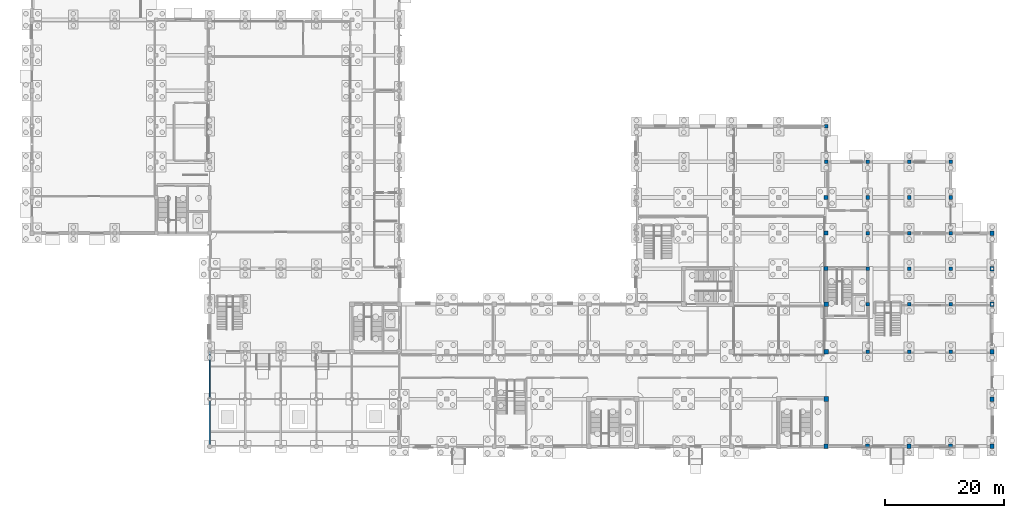
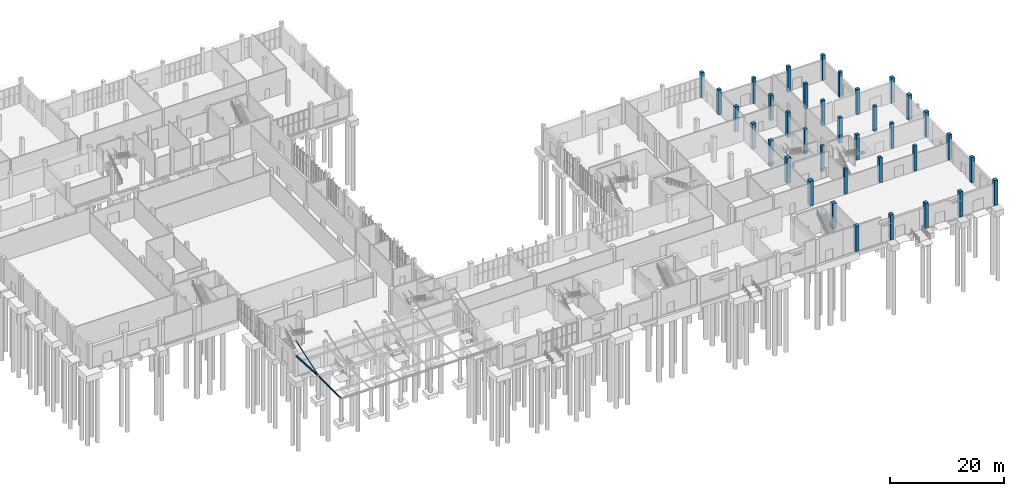
# One storey, part 6 of 69: 36 columns, 2 beams, 1 member.
"""IFC4 building model written with IfcOpenShell, lengths in metres."""

from ifc_helpers import new_model, si_unit, direction, frame, origin, origin_2d, place, context, subcontext, project, spatial, rectangle, hollow_circle, i_section, extrude, material, material_profile, profile_set, type_object, element, save


model = new_model("IFC4")

# Units and contexts
model_context = context("Model", 3, precision=1e-05, world=origin(), true_north=direction((0.0, 1.0)))
body_context = subcontext(model_context, "Body", "Model", "MODEL_VIEW")
ifc_project = project(units=[si_unit("LENGTHUNIT", "METRE"), si_unit("AREAUNIT", "SQUARE_METRE"), si_unit("VOLUMEUNIT", "CUBIC_METRE"), si_unit("PLANEANGLEUNIT", "RADIAN"), si_unit("MASSUNIT", "GRAM", prefix="KILO")], contexts=[model_context])

# Site, building, storey
site_placement = place(None, origin())
site = spatial("IfcSite", under=ifc_project, at=site_placement, CompositionType="ELEMENT")
building_placement = place(site_placement, origin())
building = spatial("IfcBuilding", under=site, at=building_placement, Name="Solvane Community Centre", CompositionType="ELEMENT")
storey_placement = place(building_placement, origin())
storey = spatial("IfcBuildingStorey", under=building, at=storey_placement, Name="L00", CompositionType="ELEMENT", Elevation=0.0)

# Columns
ifc_material_1 = material(Name="Precast concrete C35/45", Category="concrete")
ifc_material_profile_1 = material_profile(ifc_material_1, rectangle(XDim=0.64990234375, YDim=0.75, at=origin_2d()), Name="RC 650x750")
ifc_profile_set_1 = profile_set([ifc_material_profile_1], Name="Precast concrete C35/45")
column_type_1 = type_object("IfcColumnType", Name="Art Deco Fluted Pilaster 650x750", PredefinedType="PILASTER", material=ifc_profile_set_1)
for number, where, z_axis, x_axis, name in (
    (1, (140.0, 6.0, 0.0), (0.0, 0.0, 1.0), (1.0, 0.0, 0.0), "Column COL-L00-20-A"),
    (2, (147.0, 6.0, 0.0), (0.0, 0.0, 1.0), (1.0, 0.0, 0.0), "Column COL-L00-21-A"),
    (3, (154.0, 6.0, 0.0), (0.0, 0.0, 1.0), (1.0, 0.0, 0.0), "Column COL-L00-22-A"),
    (4, (161.0, 6.0, 0.0), (0.0, 0.0, 1.0), (1.0, 0.0, 0.0), "Column COL-L00-23-A"),
    (5, (168.0, 6.0, 0.0), (0.0, 0.0, 1.0), (1.0, 0.0, 0.0), "Column COL-L00-24-A"),
    (6, (168.0, 14.0, 0.0), (0.0, 0.0, 1.0), (1.0, 0.0, 0.0), "Column COL-L00-24-B"),
    (7, (168.0, 22.0, 0.0), (0.0, 0.0, 1.0), (1.0, 0.0, 0.0), "Column COL-L00-24-C"),
    (8, (168.0, 30.0, 0.0), (0.0, 0.0, 1.0), (1.0, 0.0, 0.0), "Column COL-L00-24-D"),
    (9, (168.0, 36.0, 0.0), (0.0, 0.0, 1.0), (1.0, 0.0, 0.0), "Column COL-L00-24-E"),
    (10, (168.0, 42.0, 0.0), (0.0, 0.0, 1.0), (1.0, 0.0, 0.0), "Column COL-L00-24-F"),
):
    element("IfcColumn", number, at=place(storey_placement, frame(where, z_axis=z_axis, x_axis=x_axis)), inside=storey, type_object=column_type_1, Name=name, PredefinedType="PILASTER", context=body_context, shape_type="SweptSolid", body=[
        extrude(rectangle(XDim=0.64990234375, YDim=0.75, at=origin_2d()), origin(), (0.0, 0.0, 1.0), 5.39990234375),
    ])
ifc_material_2 = material(Name="Concrete C35/45", Category="concrete")
ifc_material_profile_2 = material_profile(ifc_material_2, rectangle(XDim=0.60009765625, YDim=0.60009765625, at=origin_2d()), Name="RC 600x600")
ifc_profile_set_2 = profile_set([ifc_material_profile_2], Name="Concrete C35/45")
column_type_2 = type_object("IfcColumnType", Name="RC Column 600x600", PredefinedType="COLUMN", material=ifc_profile_set_2)
for number, where, z_axis, x_axis, name in (
    (11, (140.0, 54.0, 0.0), (0.0, 0.0, 1.0), (1.0, 0.0, 0.0), "Column COL-L00-20-H"),
    (12, (140.0, 60.0, 0.0), (0.0, 0.0, 1.0), (1.0, 0.0, 0.0), "Column COL-L00-20-J"),
    (13, (147.0, 22.0, 0.0), (0.0, 0.0, 1.0), (1.0, 0.0, 0.0), "Column COL-L00-21-C"),
    (14, (147.0, 30.0, 0.0), (0.0, 0.0, 1.0), (1.0, 0.0, 0.0), "Column COL-L00-21-D"),
    (15, (147.0, 36.0, 0.0), (0.0, 0.0, 1.0), (1.0, 0.0, 0.0), "Column COL-L00-21-E"),
    (16, (154.0, 22.0, 0.0), (0.0, 0.0, 1.0), (1.0, 0.0, 0.0), "Column COL-L00-22-C"),
    (17, (154.0, 30.0, 0.0), (0.0, 0.0, 1.0), (1.0, 0.0, 0.0), "Column COL-L00-22-D"),
    (18, (154.0, 36.0, 0.0), (0.0, 0.0, 1.0), (1.0, 0.0, 0.0), "Column COL-L00-22-E"),
    (19, (161.0, 22.0, 0.0), (0.0, 0.0, 1.0), (1.0, 0.0, 0.0), "Column COL-L00-23-C"),
    (20, (161.0, 30.0, 0.0), (0.0, 0.0, 1.0), (1.0, 0.0, 0.0), "Column COL-L00-23-D"),
    (21, (161.0, 36.0, 0.0), (0.0, 0.0, 1.0), (1.0, 0.0, 0.0), "Column COL-L00-23-E"),
):
    element("IfcColumn", number, at=place(storey_placement, frame(where, z_axis=z_axis, x_axis=x_axis)), inside=storey, type_object=column_type_2, Name=name, PredefinedType="COLUMN", context=body_context, shape_type="SweptSolid", body=[
        extrude(rectangle(XDim=0.60009765625, YDim=0.60009765625, at=origin_2d()), origin(), (0.0, 0.0, 1.0), 5.39990234375),
    ])
ifc_material_profile_3 = material_profile(ifc_material_2, rectangle(XDim=0.610107421875, YDim=0.610107421875, at=origin_2d()), Name="RC 610x610")
ifc_profile_set_3 = profile_set([ifc_material_profile_3], Name="Concrete C35/45")
column_type_3 = type_object("IfcColumnType", Name="RC Column 610x610", PredefinedType="COLUMN", material=ifc_profile_set_3)
for number, where, z_axis, x_axis, name in (
    (22, (147.0, 42.0, 0.0), (0.0, 0.0, 1.0), (1.0, 0.0, 0.0), "Column COL-L00-21-F"),
    (23, (147.0, 48.0, 0.0), (0.0, 0.0, 1.0), (1.0, 0.0, 0.0), "Column COL-L00-21-G"),
    (24, (147.0, 54.0, 0.0), (0.0, 0.0, 1.0), (1.0, 0.0, 0.0), "Column COL-L00-21-H"),
    (25, (154.0, 42.0, 0.0), (0.0, 0.0, 1.0), (1.0, 0.0, 0.0), "Column COL-L00-22-F"),
    (26, (154.0, 48.0, 0.0), (0.0, 0.0, 1.0), (1.0, 0.0, 0.0), "Column COL-L00-22-G"),
    (27, (154.0, 54.0, 0.0), (0.0, 0.0, 1.0), (1.0, 0.0, 0.0), "Column COL-L00-22-H"),
    (28, (161.0, 42.0, 0.0), (0.0, 0.0, 1.0), (1.0, 0.0, 0.0), "Column COL-L00-23-F"),
    (29, (161.0, 48.0, 0.0), (0.0, 0.0, 1.0), (1.0, 0.0, 0.0), "Column COL-L00-23-G"),
    (30, (161.0, 54.0, 0.0), (0.0, 0.0, 1.0), (1.0, 0.0, 0.0), "Column COL-L00-23-H"),
):
    element("IfcColumn", number, at=place(storey_placement, frame(where, z_axis=z_axis, x_axis=x_axis)), inside=storey, type_object=column_type_3, Name=name, PredefinedType="COLUMN", context=body_context, shape_type="SweptSolid", body=[
        extrude(rectangle(XDim=0.610107421875, YDim=0.610107421875, at=origin_2d()), origin(), (0.0, 0.0, 1.0), 5.39990234375),
    ])
ifc_material_profile_4 = material_profile(ifc_material_2, rectangle(XDim=0.699951171875, YDim=0.699951171875, at=origin_2d()), Name="RC 700x700")
ifc_profile_set_4 = profile_set([ifc_material_profile_4], Name="Concrete C35/45")
column_type_4 = type_object("IfcColumnType", Name="RC Column 700x700", PredefinedType="COLUMN", material=ifc_profile_set_4)
for number, where, z_axis, x_axis, name in (
    (31, (140.0, 36.0, 0.0), (0.0, 0.0, 1.0), (1.0, 0.0, 0.0), "Column COL-L00-20-E"),
    (32, (140.0, 42.0, 0.0), (0.0, 0.0, 1.0), (1.0, 0.0, 0.0), "Column COL-L00-20-F"),
    (33, (140.0, 48.0, 0.0), (0.0, 0.0, 1.0), (1.0, 0.0, 0.0), "Column COL-L00-20-G"),
):
    element("IfcColumn", number, at=place(storey_placement, frame(where, z_axis=z_axis, x_axis=x_axis)), inside=storey, type_object=column_type_4, Name=name, PredefinedType="COLUMN", context=body_context, shape_type="SweptSolid", body=[
        extrude(rectangle(XDim=0.699951171875, YDim=0.699951171875, at=origin_2d()), origin(), (0.0, 0.0, 1.0), 5.39990234375),
    ])
ifc_material_profile_5 = material_profile(ifc_material_2, rectangle(XDim=0.800048828125, YDim=0.800048828125, at=origin_2d()), Name="RC 800x800")
ifc_profile_set_5 = profile_set([ifc_material_profile_5], Name="Concrete C35/45")
column_type_5 = type_object("IfcColumnType", Name="RC Column 800x800", PredefinedType="COLUMN", material=ifc_profile_set_5)
for number, where, z_axis, x_axis, name in (
    (34, (140.0, 14.0, 0.0), (0.0, 0.0, 1.0), (1.0, 0.0, 0.0), "Column COL-L00-20-B"),
    (35, (140.0, 22.0, 0.0), (0.0, 0.0, 1.0), (1.0, 0.0, 0.0), "Column COL-L00-20-C"),
    (36, (140.0, 30.0, 0.0), (0.0, 0.0, 1.0), (1.0, 0.0, 0.0), "Column COL-L00-20-D"),
):
    element("IfcColumn", number, at=place(storey_placement, frame(where, z_axis=z_axis, x_axis=x_axis)), inside=storey, type_object=column_type_5, Name=name, PredefinedType="COLUMN", context=body_context, shape_type="SweptSolid", body=[
        extrude(rectangle(XDim=0.800048828125, YDim=0.800048828125, at=origin_2d()), origin(), (0.0, 0.0, 1.0), 5.39990234375),
    ])

# Member
ifc_material_3 = material(Name="Steel ASTM A572 Grade 50", Category="steel")
ifc_material_profile_6 = material_profile(ifc_material_3, hollow_circle(Radius=0.084228515625, WallThickness=0.010009765625, at=origin_2d()), Name="CHS 168.3x10.0")
ifc_profile_set_6 = profile_set([ifc_material_profile_6], Name="Steel ASTM A572 Grade 50")
member_type = type_object("IfcMemberType", Name="Canopy Hanger Strut CHS168", PredefinedType="STRUT", material=ifc_profile_set_6)
member_placement = place(storey_placement, frame((36.0, 21.75, 7.5), z_axis=(0.0, -0.948802787052, -0.315869073008), x_axis=(1.0, 0.0, 0.0)))
element("IfcMember", 37, at=member_placement, inside=storey, type_object=member_type, Name="Member MEM-L00-0390", PredefinedType="STRUT", context=body_context, shape_type="SweptSolid", body=[
    extrude(hollow_circle(Radius=0.084228515625, WallThickness=0.010009765625, at=origin_2d()), origin(), (0.0, 0.0, 1.0), 8.168212890625),
])

# Beams
ifc_material_profile_7 = material_profile(ifc_material_3, i_section(OverallWidth=0.205078125, OverallDepth=0.31005859375, WebThickness=0.009521484375, FlangeThickness=0.016357421875, FilletRadius=0.012939453125, at=origin_2d()), Name="W310x74")
ifc_profile_set_7 = profile_set([ifc_material_profile_7], Name="Steel ASTM A572 Grade 50")
beam_type = type_object("IfcBeamType", Name="Steel Canopy Beam W310x74", PredefinedType="BEAM", material=ifc_profile_set_7)
beam_1_placement = place(storey_placement, frame((36.0, 6.0, 4.764892578125), z_axis=(0.0, 1.0, 0.0), x_axis=(-1.0, 0.0, 0.0)))
element("IfcBeam", 38, at=beam_1_placement, inside=storey, type_object=beam_type, Name="Beam BM-L00-360_60-360_140", PredefinedType="BEAM", context=body_context, shape_type="SweptSolid", body=[
    extrude(i_section(OverallWidth=0.205078125, OverallDepth=0.31005859375, WebThickness=0.009521484375, FlangeThickness=0.016357421875, FilletRadius=0.012939453125, at=origin_2d()), origin(), (0.0, 0.0, 1.0), 8.0),
])
beam_2_placement = place(storey_placement, frame((36.0, 14.0, 4.764892578125), z_axis=(0.0, 0.998491323842, -0.054909709642), x_axis=(-1.0, 0.0, 0.0)))
element("IfcBeam", 39, at=beam_2_placement, inside=storey, type_object=beam_type, Name="Beam BM-L00-360_140-360_220", PredefinedType="BEAM", context=body_context, shape_type="SweptSolid", body=[
    extrude(i_section(OverallWidth=0.205078125, OverallDepth=0.31005859375, WebThickness=0.009521484375, FlangeThickness=0.016357421875, FilletRadius=0.012939453125, at=origin_2d()), origin(), (0.0, 0.0, 1.0), 8.01220703125),
])

save(model, "model.ifc")
